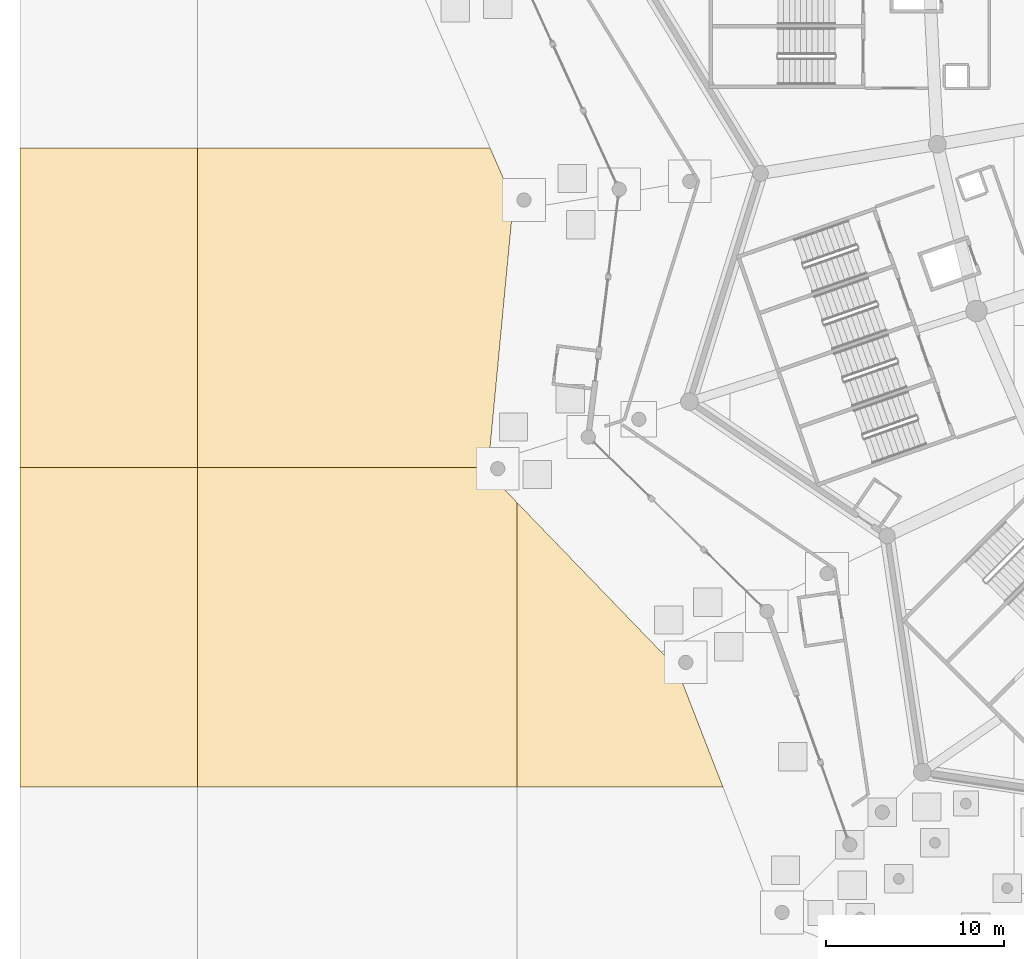
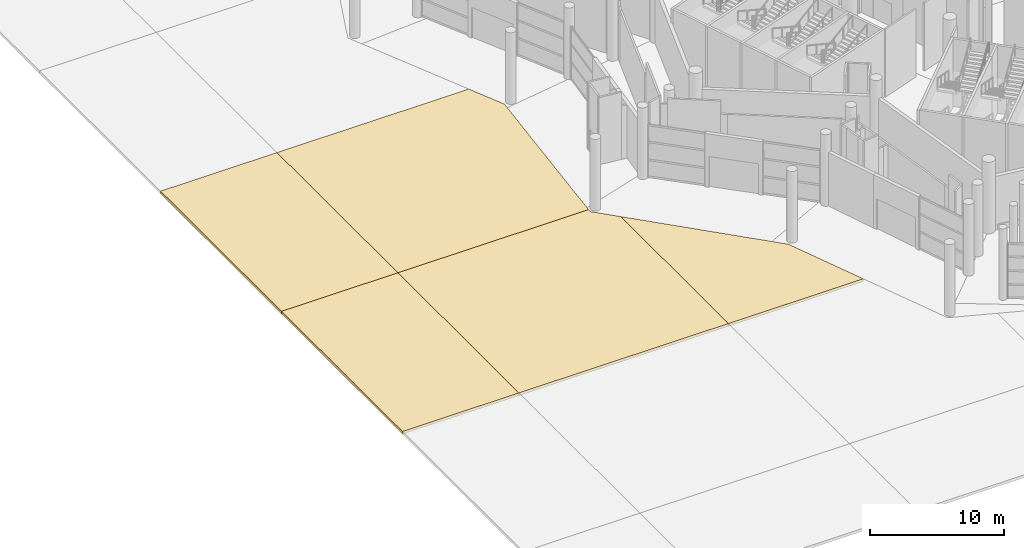
# One storey, part 185 of 255: 5 coverings.
"""IFC4 building model written with IfcOpenShell, lengths in metres."""

from ifc_helpers import new_model, si_unit, direction, frame, origin, place, context, subcontext, project, spatial, polyline, outline, extrude, material, layer, layer_set, type_object, element, save


model = new_model("IFC4")

# Units and contexts
model_context = context("Model", 3, precision=1e-05, world=origin(), true_north=direction((0.0, 1.0)))
body_context = subcontext(model_context, "Body", "Model", "MODEL_VIEW")
ifc_project = project(units=[si_unit("LENGTHUNIT", "METRE"), si_unit("AREAUNIT", "SQUARE_METRE"), si_unit("VOLUMEUNIT", "CUBIC_METRE"), si_unit("PLANEANGLEUNIT", "RADIAN"), si_unit("MASSUNIT", "GRAM", prefix="KILO")], contexts=[model_context])

# Site, building, storey
site_placement = place(None, origin())
site = spatial("IfcSite", under=ifc_project, at=site_placement, CompositionType="ELEMENT")
building_placement = place(site_placement, origin())
building = spatial("IfcBuilding", under=site, at=building_placement, Name="Meseta Stadium", CompositionType="ELEMENT")
storey_placement = place(building_placement, origin())
storey = spatial("IfcBuildingStorey", under=building, at=storey_placement, Name="L00", CompositionType="ELEMENT", Elevation=0.0)

# Coverings
ifc_material = material(Name="Guadarrama granite paving on bedding", Category="masonry")
ifc_layer = layer(ifc_material, 0.25)
ifc_layer_set = layer_set([ifc_layer], Name="Ground paving 250")
covering_type = type_object("IfcCoveringType", Name="Ground paving 250", PredefinedType="FLOORING", material=ifc_layer_set)
covering_1_placement = place(storey_placement, frame((0.0, 0.0, -0.25)))
element("IfcCovering", 1, at=covering_1_placement, inside=storey, type_object=covering_type, Name="Forecourt paving 20", PredefinedType="FLOORING", context=body_context, shape_type="SweptSolid", body=[
    extrude(outline(polyline([(-96.406982421875, -90.0), (-99.0048828125, -83.30517578125), (-108.0, -73.986083984375), (-108.0, -90.0), (-96.406982421875, -90.0)])), origin(), (0.0, 0.0, 1.0), 0.25),
])
covering_2_placement = place(storey_placement, frame((0.0, 0.0, -0.25)))
element("IfcCovering", 2, at=covering_2_placement, inside=storey, type_object=covering_type, Name="Forecourt paving 21", PredefinedType="FLOORING", context=body_context, shape_type="SweptSolid", body=[
    extrude(outline(polyline([(-108.0, -73.986083984375), (-109.6533203125, -72.273193359375), (-109.627197265625, -72.0), (-126.0, -72.0), (-126.0, -90.0), (-108.0, -90.0), (-108.0, -73.986083984375)])), origin(), (0.0, 0.0, 1.0), 0.25),
])
covering_3_placement = place(storey_placement, frame((0.0, 0.0, -0.25)))
element("IfcCovering", 3, at=covering_3_placement, inside=storey, type_object=covering_type, Name="Forecourt paving 22", PredefinedType="FLOORING", context=body_context, shape_type="SweptSolid", body=[
    extrude(outline(polyline([(-136.0, -72.0), (-136.0, -90.0), (-126.0, -90.0), (-126.0, -72.0), (-136.0, -72.0)])), origin(), (0.0, 0.0, 1.0), 0.25),
])
covering_4_placement = place(storey_placement, frame((0.0, 0.0, -0.25)))
element("IfcCovering", 4, at=covering_4_placement, inside=storey, type_object=covering_type, Name="Forecourt paving 23", PredefinedType="FLOORING", context=body_context, shape_type="SweptSolid", body=[
    extrude(outline(polyline([(-136.0, -54.0), (-136.0, -72.0), (-126.0, -72.0), (-126.0, -54.0), (-136.0, -54.0)])), origin(), (0.0, 0.0, 1.0), 0.25),
])
covering_5_placement = place(storey_placement, frame((0.0, 0.0, -0.25)))
element("IfcCovering", 5, at=covering_5_placement, inside=storey, type_object=covering_type, Name="Forecourt paving 24", PredefinedType="FLOORING", context=body_context, shape_type="SweptSolid", body=[
    extrude(outline(polyline([(-109.627197265625, -72.0), (-108.206298828125, -57.009033203125), (-109.521240234375, -54.0), (-126.0, -54.0), (-126.0, -72.0), (-109.627197265625, -72.0)])), origin(), (0.0, 0.0, 1.0), 0.25),
])

save(model, "model.ifc")
